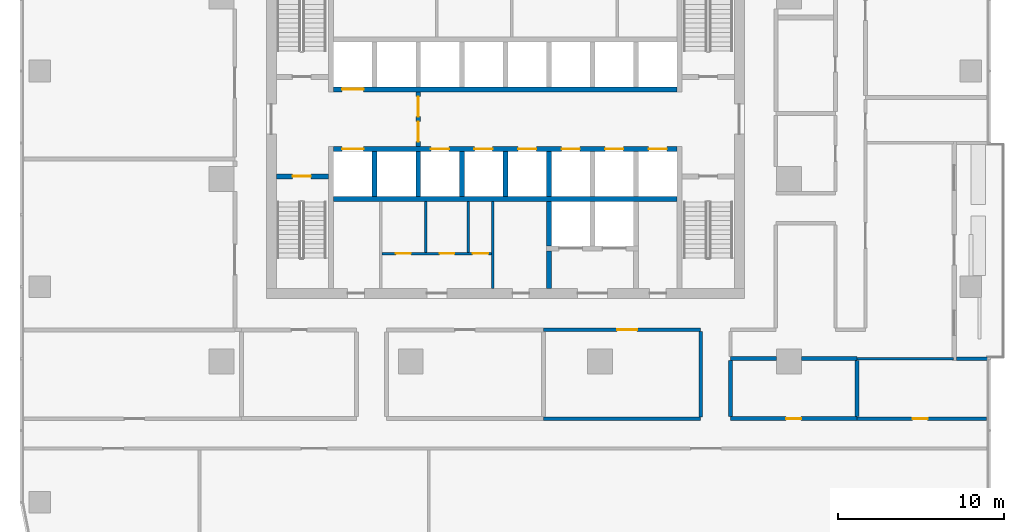
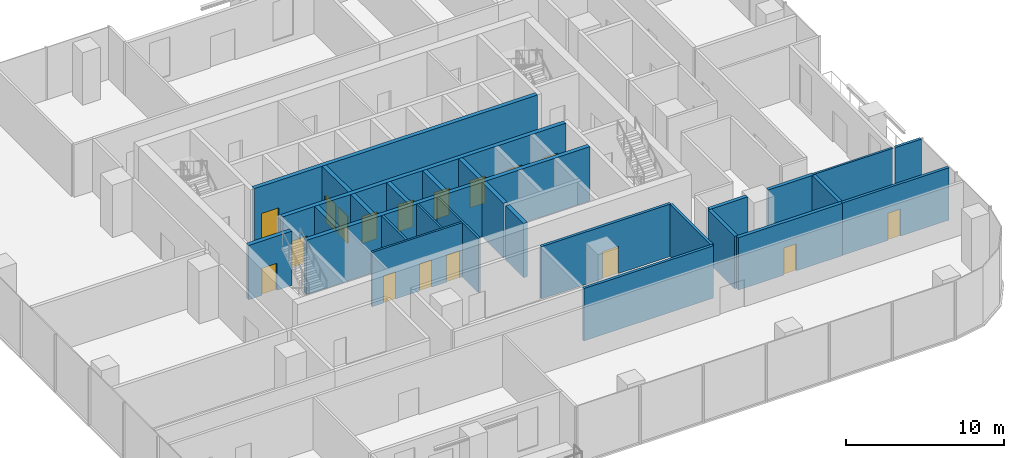
# One storey, part 8 of 14: 27 walls, 17 doors, 17 openings.
"""IFC4 building model written with IfcOpenShell, lengths in metres."""

import ifcopenshell
import ifcopenshell.guid

model = None  # the IFC model being written
_history = None  # IfcOwnerHistory: only IFC2X3 demands one
_inside = {}  # id of a spatial element -> (the spatial element, [elements in it])
_under = {}  # id of a project, library or spatial element -> (it, [spatial elements below it])
_declared = {}  # id of a project -> (the project, [libraries it declares])
_typed = {}  # id of a type object -> (the type object, [elements of that type])
_made_of = {}  # id of a material, layer set ... -> (it, [elements and type objects made of it])


def new_model(schema):
    """Start an empty IFC model of exactly this schema.

    Asked for "IFC4X3", IfcOpenShell would pick the latest addendum, in which some entities
    have other attributes; the version numbers below select the first issue.
    IFC2X3 requires an IfcOwnerHistory on every rooted entity: one is made here for all.
    """
    global model, _history
    if schema == "IFC4X3":
        model = ifcopenshell.file(schema_version=(4, 3, 0, 0))
    else:
        model = ifcopenshell.file(schema=schema)
    _inside.clear()
    _under.clear()
    _declared.clear()
    _typed.clear()
    _made_of.clear()
    _history = None
    if model.schema == "IFC2X3":
        org = make("IfcOrganization", Name="unknown")
        user = make(
            "IfcPersonAndOrganization",
            ThePerson=make("IfcPerson", FamilyName="unknown"),
            TheOrganization=org,
        )
        app = make(
            "IfcApplication",
            ApplicationDeveloper=org,
            Version="unknown",
            ApplicationFullName="unknown",
            ApplicationIdentifier="unknown",
        )
        _history = make(
            "IfcOwnerHistory",
            OwningUser=user,
            OwningApplication=app,
            ChangeAction="ADDED",
            CreationDate=0,
        )
    return model


def make(cls, **values):
    """One entity of the class cls with the attributes given. An attribute that is None is left unset."""
    return model.create_entity(
        cls, **{name: value for name, value in values.items() if value is not None}
    )


def rooted(cls, **values):
    """An entity with a GlobalId (a new one), such as an element, a storey or a relation."""
    return make(cls, GlobalId=ifcopenshell.guid.new(), OwnerHistory=_history, **values)


def si_unit(unit_type, name, prefix=None):
    """IfcSIUnit, for example si_unit("LENGTHUNIT", "METRE", prefix="MILLI")."""
    return make("IfcSIUnit", UnitType=unit_type, Prefix=prefix, Name=name)


def assignment(units):
    """IfcUnitAssignment: the units of a project."""
    return None if units is None else make("IfcUnitAssignment", Units=units)


def point(xyz):
    """IfcCartesianPoint."""
    return None if xyz is None else make("IfcCartesianPoint", Coordinates=xyz)


def direction(xyz):
    """IfcDirection."""
    return None if xyz is None else make("IfcDirection", DirectionRatios=xyz)


def frame(location, z_axis=None, x_axis=None):
    """IfcAxis2Placement3D, a coordinate frame: its origin and axes. An axis left out is left unset."""
    return make(
        "IfcAxis2Placement3D",
        Location=point(location),
        Axis=direction(z_axis),
        RefDirection=direction(x_axis),
    )


def frame_2d(location, x_axis=None):
    """IfcAxis2Placement2D, a coordinate frame in the plane: its origin and x axis."""
    return make(
        "IfcAxis2Placement2D", Location=point(location), RefDirection=direction(x_axis)
    )


def origin():
    """The frame at (0, 0, 0) with its axes left unset."""
    return frame((0.0, 0.0, 0.0))


def place(relative_to, where):
    """IfcLocalPlacement: puts the frame where relative to a parent placement (None: the world)."""
    return make(
        "IfcLocalPlacement", PlacementRelTo=relative_to, RelativePlacement=where
    )


def context(
    kind, dimensions, precision=None, world=None, true_north=None, identifier=None
):
    """IfcGeometricRepresentationContext, for example the 3D "Model" context."""
    return make(
        "IfcGeometricRepresentationContext",
        ContextIdentifier=identifier,
        ContextType=kind,
        CoordinateSpaceDimension=dimensions,
        Precision=precision,
        WorldCoordinateSystem=world,
        TrueNorth=true_north,
    )


def subcontext(parent, identifier, kind, view, scale=None):
    """IfcGeometricRepresentationSubContext, for example "Body" below "Model"."""
    return make(
        "IfcGeometricRepresentationSubContext",
        ContextIdentifier=identifier,
        ContextType=kind,
        ParentContext=parent,
        TargetScale=scale,
        TargetView=view,
    )


def project(units=None, contexts=None):
    """IfcProject with its units and contexts."""
    return rooted(
        "IfcProject",
        Name="project",
        RepresentationContexts=contexts,
        UnitsInContext=assignment(units),
    )


def spatial(cls, under=None, at=None, **own):
    """A site, building, storey or space (cls), placed at a placement, below another one or the project."""
    s = rooted(cls, ObjectPlacement=at, **own)
    if under is not None:
        _under.setdefault(under.id(), (under, []))[1].append(s)
    return s


def profile(cls, at=None, kind="AREA", **sizes):
    """A parametric profile (cls). Its sizes go by their IFC names, for example OverallWidth=200.0."""
    return make(cls, ProfileType=kind, Position=at, **sizes)


def rectangle(**sizes):
    """IfcRectangleProfileDef."""
    return profile("IfcRectangleProfileDef", **sizes)


def extrude(swept, where, along, depth):
    """IfcExtrudedAreaSolid: the profile swept, set in the frame where, extruded along a direction by depth."""
    return make(
        "IfcExtrudedAreaSolid",
        SweptArea=swept,
        Position=where,
        ExtrudedDirection=direction(along),
        Depth=depth,
    )


def shape(context_of_items, identifier, shape_type, items):
    """IfcShapeRepresentation: the items that make up one representation, for example the "Body"."""
    return make(
        "IfcShapeRepresentation",
        ContextOfItems=context_of_items,
        RepresentationIdentifier=identifier,
        RepresentationType=shape_type,
        Items=items,
    )


def material(Name=None, Category=None):
    """IfcMaterial."""
    return make("IfcMaterial", Name=Name, Category=Category)


def layer(
    of_material, thickness, ventilated=None, Name=None, Category=None, Priority=None
):
    """IfcMaterialLayer: one layer of a wall or slab, of a material (None: an air gap)."""
    return make(
        "IfcMaterialLayer",
        Material=of_material,
        LayerThickness=thickness,
        IsVentilated=ventilated,
        Name=Name,
        Category=Category,
        Priority=Priority,
    )


def layer_set(layers, Name=None):
    """IfcMaterialLayerSet."""
    return make("IfcMaterialLayerSet", MaterialLayers=layers, LayerSetName=Name)


def made_of(thing, what):
    """Note that an element or type object is made of a material, layer set ...; save() writes the relation."""
    if what is not None:
        _made_of.setdefault(what.id(), (what, []))[1].append(thing)
    return thing


def type_object(cls, material=None, **own):
    """A type object (cls), such as IfcWallType, which elements share."""
    return made_of(rooted(cls, **own), material)


def element(
    cls,
    number,
    at=None,
    inside=None,
    cuts=None,
    type_object=None,
    material=None,
    context=None,
    identifier="Body",
    shape_type=None,
    held_by="IfcProductDefinitionShape",
    body=None,
    shapes=None,
    **own,
):
    """One element of the class cls, such as IfcWall. Its Tag is "e" and its number.

    at: its placement. inside: the storey or other place that contains it. cuts: it is an
    opening in that element (IfcRelVoidsElement). A single representation is given by context,
    identifier, shape_type and body (its items); several are given by shapes. held_by: the class
    of the entity that holds the representations. save() writes the other relations.
    """
    e = rooted(cls, Tag="e%d" % number, ObjectPlacement=at, **own)
    if body is not None:
        shapes = [shape(context, identifier, shape_type, body)]
    if shapes is not None:
        e.Representation = make(held_by, Representations=shapes)
    if inside is not None:
        _inside.setdefault(inside.id(), (inside, []))[1].append(e)
    if cuts is not None:
        rooted(
            "IfcRelVoidsElement", RelatingBuildingElement=cuts, RelatedOpeningElement=e
        )
    if type_object is not None:
        _typed.setdefault(type_object.id(), (type_object, []))[1].append(e)
    return made_of(e, material)


def fill(opening, filler):
    """IfcRelFillsElement: the door or window that sits in an opening."""
    return rooted(
        "IfcRelFillsElement",
        RelatingOpeningElement=opening,
        RelatedBuildingElement=filler,
    )


def aggregate(whole, parts):
    """IfcRelAggregates: a whole, such as a stair, and the parts it consists of."""
    return rooted("IfcRelAggregates", RelatingObject=whole, RelatedObjects=parts)


def save(model, path):
    """Write the relations noted so far, then the file.

    IfcRelAggregates (storeys below a building ...), IfcRelContainedInSpatialStructure (elements
    in a storey), IfcRelDefinesByType, IfcRelAssociatesMaterial and IfcRelDeclares: one each for
    every whole, place, type object, material and project.
    """
    for whole, parts in _under.values():
        aggregate(whole, parts)
    for where, things in _inside.values():
        rooted(
            "IfcRelContainedInSpatialStructure",
            RelatedElements=things,
            RelatingStructure=where,
        )
    for kind, things in _typed.values():
        rooted("IfcRelDefinesByType", RelatedObjects=things, RelatingType=kind)
    for what, things in _made_of.values():
        rooted("IfcRelAssociatesMaterial", RelatedObjects=things, RelatingMaterial=what)
    for by, libraries in _declared.values():
        rooted("IfcRelDeclares", RelatingContext=by, RelatedDefinitions=libraries)
    model.write(path)


model = new_model("IFC4")

# Units and contexts
model_context = context("Model", 3, precision=1e-05, world=origin(), true_north=direction((0.0, 1.0)))
body_context = subcontext(model_context, "Body", "Model", "MODEL_VIEW")
ifc_project = project(units=[si_unit("LENGTHUNIT", "METRE"), si_unit("AREAUNIT", "SQUARE_METRE"), si_unit("VOLUMEUNIT", "CUBIC_METRE"), si_unit("PLANEANGLEUNIT", "RADIAN"), si_unit("MASSUNIT", "GRAM", prefix="KILO")], contexts=[model_context])

# Site, building, storey
site_placement = place(None, origin())
site = spatial("IfcSite", under=ifc_project, at=site_placement, CompositionType="ELEMENT")
building_placement = place(site_placement, origin())
building = spatial("IfcBuilding", under=site, at=building_placement, Name="Mopane Tessera Tower", CompositionType="ELEMENT")
storey_placement = place(building_placement, frame((0.0, 0.0, 126.10009765625)))
storey = spatial("IfcBuildingStorey", under=building, at=storey_placement, Name="L25", CompositionType="ELEMENT", Elevation=126.10009765625)

# Wall, openings, doors
ifc_material_1 = material(Name="Fire-rated gypsum board partition")
ifc_layer_1 = layer(ifc_material_1, 0.14990234375)
ifc_layer_set_1 = layer_set([ifc_layer_1], Name="Fire-rated gypsum board partition")
wall_type_1 = type_object("IfcWallType", Name="Core room partition 150 mm", PredefinedType="PARTITIONING", material=ifc_layer_set_1)
wall_1_placement = place(storey_placement, frame((-7.425048828125, -4.5, 0.0), z_axis=(0.0, 0.0, 1.0), x_axis=(1.0, 0.0, 0.0)))
wall_1 = element("IfcWall", 1, at=wall_1_placement, inside=storey, type_object=wall_type_1, Name="L25 WC partition", PredefinedType="PARTITIONING", context=body_context, shape_type="SweptSolid", body=[
    extrude(rectangle(XDim=6.60009765625, YDim=0.14990234375, at=frame_2d((3.300048828125, 0.0))), origin(), (0.0, 0.0, 1.0), 4.199951171875),
])
opening_1_placement = place(wall_1_placement, frame((0.824951171875, 0.0, 0.0)))
opening_1 = element("IfcOpeningElement", 2, at=opening_1_placement, cuts=wall_1, Name="Opening WD1", PredefinedType="OPENING", context=body_context, shape_type="SweptSolid", body=[
    extrude(rectangle(XDim=0.89990234375, YDim=2.10009765625, at=frame_2d((0.449951171875, 1.050048828125))), frame((0.0, 0.0869140625, 0.0), z_axis=(0.0, -1.0, 0.0), x_axis=(1.0, 0.0, 0.0)), (0.0, 0.0, 1.0), 0.173828125),
])
opening_2_placement = place(wall_1_placement, frame((3.45751953125, 0.0, 0.0)))
opening_2 = element("IfcOpeningElement", 3, at=opening_2_placement, cuts=wall_1, Name="Opening WD1", PredefinedType="OPENING", context=body_context, shape_type="SweptSolid", body=[
    extrude(rectangle(XDim=0.89990234375, YDim=2.10009765625, at=frame_2d((0.449951171875, 1.050048828125))), frame((0.0, 0.0869140625, 0.0), z_axis=(0.0, -1.0, 0.0), x_axis=(1.0, 0.0, 0.0)), (0.0, 0.0, 1.0), 0.173828125),
])
opening_3_placement = place(wall_1_placement, frame((5.45751953125, 0.0, 0.0)))
opening_3 = element("IfcOpeningElement", 4, at=opening_3_placement, cuts=wall_1, Name="Opening WD2", PredefinedType="OPENING", context=body_context, shape_type="SweptSolid", body=[
    extrude(rectangle(XDim=0.949951171875, YDim=2.10009765625, at=frame_2d((0.47509765625, 1.050048828125))), frame((0.0, 0.0869140625, 0.0), z_axis=(0.0, -1.0, 0.0), x_axis=(1.0, 0.0, 0.0)), (0.0, 0.0, 1.0), 0.173828125),
])
ifc_material_2 = material(Name="Timber door", Category="wood")
door_type_1 = type_object("IfcDoorType", Name="Accessible WC door 950 x 2100", OperationType="SINGLE_SWING_LEFT", PredefinedType="DOOR", material=ifc_material_2)
door_1_placement = place(opening_3_placement, origin())
door_1 = element("IfcDoor", 5, at=door_1_placement, inside=storey, type_object=door_type_1, Name="L25 Accessible WC door", OperationType="SINGLE_SWING_LEFT", OverallHeight=2.10009765625, OverallWidth=0.949951171875, PredefinedType="DOOR", context=body_context, shape_type="SweptSolid", body=[
    extrude(rectangle(XDim=0.949951171875, YDim=2.10009765625, at=frame_2d((0.47509765625, 1.050048828125))), frame((0.0, 0.02490234375, 0.0), z_axis=(0.0, -1.0, 0.0), x_axis=(1.0, 0.0, 0.0)), (0.0, 0.0, 1.0), 0.050048828125),
])
fill(opening_3, door_1)
ifc_material_3 = material(Name="Timber door", Category="wood")
door_type_2 = type_object("IfcDoorType", Name="WC cubicle door 900 x 2100", OperationType="SINGLE_SWING_LEFT", PredefinedType="DOOR", material=ifc_material_3)
door_2_placement = place(opening_1_placement, origin())
door_2 = element("IfcDoor", 6, at=door_2_placement, inside=storey, type_object=door_type_2, Name="L25 Men's WC door", OperationType="SINGLE_SWING_LEFT", OverallHeight=2.10009765625, OverallWidth=0.89990234375, PredefinedType="DOOR", context=body_context, shape_type="SweptSolid", body=[
    extrude(rectangle(XDim=0.89990234375, YDim=2.10009765625, at=frame_2d((0.449951171875, 1.050048828125))), frame((0.0, 0.02490234375, 0.0), z_axis=(0.0, -1.0, 0.0), x_axis=(1.0, 0.0, 0.0)), (0.0, 0.0, 1.0), 0.050048828125),
])
fill(opening_1, door_2)
door_3_placement = place(opening_2_placement, origin())
door_3 = element("IfcDoor", 7, at=door_3_placement, inside=storey, type_object=door_type_2, Name="L25 Women's WC door", OperationType="SINGLE_SWING_LEFT", OverallHeight=2.10009765625, OverallWidth=0.89990234375, PredefinedType="DOOR", context=body_context, shape_type="SweptSolid", body=[
    extrude(rectangle(XDim=0.89990234375, YDim=2.10009765625, at=frame_2d((0.449951171875, 1.050048828125))), frame((0.0, 0.02490234375, 0.0), z_axis=(0.0, -1.0, 0.0), x_axis=(1.0, 0.0, 0.0)), (0.0, 0.0, 1.0), 0.050048828125),
])
fill(opening_2, door_3)

# Walls
for number, where, z_axis, x_axis, name in (
    (8, (-4.800048828125, -4.425048828125, 0.0), (0.0, 0.0, 1.0), (0.0, 1.0, 0.0), "L25 WC partition"),
    (9, (-2.235107421875, -4.425048828125, 0.0), (0.0, 0.0, 1.0), (0.0, 1.0, 0.0), "L25 WC partition"),
):
    element("IfcWall", number, at=place(storey_placement, frame(where, z_axis=z_axis, x_axis=x_axis)), inside=storey, type_object=wall_type_1, Name=name, PredefinedType="PARTITIONING", context=body_context, shape_type="SweptSolid", body=[
        extrude(rectangle(XDim=3.074951171875, YDim=0.14990234375, at=frame_2d((1.53759765625, 0.0))), origin(), (0.0, 0.0, 1.0), 4.199951171875),
    ])
wall_2_placement = place(storey_placement, frame((-0.75, -6.60009765625, 0.0), z_axis=(0.0, 0.0, 1.0), x_axis=(0.0, 1.0, 0.0)))
element("IfcWall", 10, at=wall_2_placement, inside=storey, type_object=wall_type_1, Name="L25 Room partition", PredefinedType="PARTITIONING", context=body_context, shape_type="SweptSolid", body=[
    extrude(rectangle(XDim=5.25, YDim=0.14990234375, at=frame_2d((2.625, 0.0))), origin(), (0.0, 0.0, 1.0), 4.199951171875),
])
ifc_material_4 = material(Name="Gypsum board on steel studs, two layers each face, mineral wool infill", Category="steel")
ifc_layer_2 = layer(ifc_material_4, 0.199951171875)
ifc_layer_set_2 = layer_set([ifc_layer_2], Name="Gypsum board on steel studs, two layers each face, mineral wool infill")
wall_type_2 = type_object("IfcWallType", Name="Gypsum board corridor wall 200, rated EI 60", PredefinedType="PARTITIONING", material=ifc_layer_set_2)
wall_3_placement = place(storey_placement, frame((2.300048828125, -14.449951171875, 0.0), z_axis=(0.0, 0.0, 1.0), x_axis=(1.0, 0.0, 0.0)))
element("IfcWall", 11, at=wall_3_placement, inside=storey, type_object=wall_type_2, Name="Partition L25:002", PredefinedType="PARTITIONING", context=body_context, shape_type="SweptSolid", body=[
    extrude(rectangle(XDim=9.469970703125, YDim=0.199951171875, at=frame_2d((4.73486328125, 0.0))), origin(), (0.0, 0.0, 1.0), 4.0498046875),
])

# Wall, opening, door
wall_4_placement = place(storey_placement, frame((21.18505859375, -14.449951171875, 0.0), z_axis=(0.0, 0.0, 1.0), x_axis=(1.0, 0.0, 0.0)))
wall_4 = element("IfcWall", 12, at=wall_4_placement, inside=storey, type_object=wall_type_2, Name="Partition L25:003", PredefinedType="PARTITIONING", context=body_context, shape_type="SweptSolid", body=[
    extrude(rectangle(XDim=7.81494140625, YDim=0.199951171875, at=frame_2d((3.907470703125, 0.0))), origin(), (0.0, 0.0, 1.0), 4.0498046875),
])
opening_4_placement = place(wall_4_placement, frame((3.357421875, 0.0, 0.0)))
opening_4 = element("IfcOpeningElement", 13, at=opening_4_placement, cuts=wall_4, Name="Opening L25-09", PredefinedType="OPENING", context=body_context, shape_type="SweptSolid", body=[
    extrude(rectangle(XDim=0.89990234375, YDim=2.10009765625, at=frame_2d((0.449951171875, 1.050048828125))), frame((0.0, 0.112060546875, 0.0), z_axis=(0.0, -1.0, 0.0), x_axis=(1.0, 0.0, 0.0)), (0.0, 0.0, 1.0), 0.223876953125),
])
ifc_material_5 = material(Name="Timber veneered steel-framed fire door", Category="steel")
door_type_3 = type_object("IfcDoorType", Name="Fire door FD60 900 x 2100", OperationType="SINGLE_SWING_LEFT", PredefinedType="DOOR", material=ifc_material_5)
door_4_placement = place(opening_4_placement, origin())
door_4 = element("IfcDoor", 14, at=door_4_placement, inside=storey, type_object=door_type_3, Name="Door L25-09", ObjectType="D10A", OperationType="SINGLE_SWING_RIGHT", OverallHeight=2.10009765625, OverallWidth=0.89990234375, PredefinedType="DOOR", context=body_context, shape_type="SweptSolid", body=[
    extrude(rectangle(XDim=0.89990234375, YDim=2.10009765625, at=frame_2d((0.449951171875, 1.050048828125))), frame((0.0, 0.02490234375, 0.0), z_axis=(0.0, -1.0, 0.0), x_axis=(1.0, 0.0, 0.0)), (0.0, 0.0, 1.0), 0.050048828125),
])
fill(opening_4, door_4)

wall_5_placement = place(storey_placement, frame((2.300048828125, -9.10009765625, 0.0), z_axis=(0.0, 0.0, 1.0), x_axis=(1.0, 0.0, 0.0)))
wall_5 = element("IfcWall", 15, at=wall_5_placement, inside=storey, type_object=wall_type_2, Name="Partition L25:011", PredefinedType="PARTITIONING", context=body_context, shape_type="SweptSolid", body=[
    extrude(rectangle(XDim=9.469970703125, YDim=0.199951171875, at=frame_2d((4.73486328125, 0.0))), origin(), (0.0, 0.0, 1.0), 4.0498046875),
])
opening_5_placement = place(wall_5_placement, frame((4.43505859375, 0.0, 0.0)))
opening_5 = element("IfcOpeningElement", 16, at=opening_5_placement, cuts=wall_5, Name="Opening L25-20", PredefinedType="OPENING", context=body_context, shape_type="SweptSolid", body=[
    extrude(rectangle(XDim=1.199951171875, YDim=2.10009765625, at=frame_2d((0.60009765625, 1.050048828125))), frame((0.0, 0.112060546875, 0.0), z_axis=(0.0, -1.0, 0.0), x_axis=(1.0, 0.0, 0.0)), (0.0, 0.0, 1.0), 0.223876953125),
])
ifc_material_6 = material(Name="Timber veneered steel-framed fire door", Category="steel")
door_type_4 = type_object("IfcDoorType", Name="Fire door FD60 1200 x 2100", OperationType="SINGLE_SWING_LEFT", PredefinedType="DOOR", material=ifc_material_6)
door_5_placement = place(opening_5_placement, origin())
door_5 = element("IfcDoor", 17, at=door_5_placement, inside=storey, type_object=door_type_4, Name="Door L25-20", ObjectType="D15A", OperationType="SINGLE_SWING_RIGHT", OverallHeight=2.10009765625, OverallWidth=1.199951171875, PredefinedType="DOOR", context=body_context, shape_type="SweptSolid", body=[
    extrude(rectangle(XDim=1.199951171875, YDim=2.10009765625, at=frame_2d((0.60009765625, 1.050048828125))), frame((0.0, 0.02490234375, 0.0), z_axis=(0.0, -1.0, 0.0), x_axis=(1.0, 0.0, 0.0)), (0.0, 0.0, 1.0), 0.050048828125),
])
fill(opening_5, door_5)

# Walls
wall_6_placement = place(storey_placement, frame((11.77001953125, -14.35009765625, 0.0), z_axis=(0.0, 0.0, 1.0), x_axis=(0.0, 1.0, 0.0)))
element("IfcWall", 18, at=wall_6_placement, inside=storey, type_object=wall_type_2, Name="Partition L25:046", PredefinedType="PARTITIONING", context=body_context, shape_type="SweptSolid", body=[
    extrude(rectangle(XDim=5.150146484375, YDim=0.199951171875, at=frame_2d((2.5751953125, 0.0))), origin(), (0.0, 0.0, 1.0), 4.0498046875),
])
ifc_material_7 = material(Name="Gypsum board on steel studs, mineral wool infill", Category="steel")
ifc_layer_3 = layer(ifc_material_7, 0.14990234375)
ifc_layer_set_3 = layer_set([ifc_layer_3], Name="Gypsum board on steel studs, mineral wool infill")
wall_type_3 = type_object("IfcWallType", Name="Gypsum board partition 150, rated EI 60", PredefinedType="PARTITIONING", material=ifc_layer_set_3)
wall_7_placement = place(storey_placement, frame((21.18505859375, -10.8349609375, 0.0), z_axis=(0.0, 0.0, 1.0), x_axis=(1.0, 0.0, 0.0)))
element("IfcWall", 19, at=wall_7_placement, inside=storey, type_object=wall_type_3, Name="Partition L25:007", PredefinedType="PARTITIONING", context=body_context, shape_type="SweptSolid", body=[
    extrude(rectangle(XDim=5.81494140625, YDim=0.14990234375, at=frame_2d((2.907470703125, 0.0))), origin(), (0.0, 0.0, 1.0), 4.0498046875),
])

# Wall, opening, door
ifc_material_8 = material(Name="Concrete C50/60", Category="concrete")
ifc_layer_4 = layer(ifc_material_8, 0.300048828125)
ifc_layer_set_4 = layer_set([ifc_layer_4], Name="Concrete C50/60")
wall_type_4 = type_object("IfcWallType", Name="Lift and stair shaft wall 300 mm", PredefinedType="SOLIDWALL", material=ifc_layer_set_4)
wall_8_placement = place(storey_placement, frame((-13.800048828125, 0.14990234375, 0.0), z_axis=(0.0, 0.0, 1.0), x_axis=(1.0, 0.0, 0.0)))
wall_8 = element("IfcWall", 20, at=wall_8_placement, inside=storey, type_object=wall_type_4, Name="L25 Stair enclosure wall", PredefinedType="SOLIDWALL", context=body_context, shape_type="SweptSolid", body=[
    extrude(rectangle(XDim=3.150146484375, YDim=0.300048828125, at=frame_2d((1.5751953125, 0.0))), origin(), (0.0, 0.0, 1.0), 4.199951171875),
])
opening_6_placement = place(wall_8_placement, frame((0.97509765625, 0.0, 0.0)))
opening_6 = element("IfcOpeningElement", 21, at=opening_6_placement, cuts=wall_8, Name="Opening SD1", PredefinedType="OPENING", context=body_context, shape_type="SweptSolid", body=[
    extrude(rectangle(XDim=1.10009765625, YDim=2.10009765625, at=frame_2d((0.550048828125, 1.050048828125))), frame((0.0, 0.162109375, 0.0), z_axis=(0.0, -1.0, 0.0), x_axis=(1.0, 0.0, 0.0)), (0.0, 0.0, 1.0), 0.323974609375),
])
ifc_material_9 = material(Name="Steel fire door", Category="steel")
door_type_5 = type_object("IfcDoorType", Name="Stair fire door 1100 x 2100", OperationType="SINGLE_SWING_LEFT", PredefinedType="DOOR", material=ifc_material_9)
door_6_placement = place(opening_6_placement, origin())
door_6 = element("IfcDoor", 22, at=door_6_placement, inside=storey, type_object=door_type_5, Name="L25 Stair door ST1", OperationType="SINGLE_SWING_LEFT", OverallHeight=2.10009765625, OverallWidth=1.10009765625, PredefinedType="DOOR", context=body_context, shape_type="SweptSolid", body=[
    extrude(rectangle(XDim=1.10009765625, YDim=2.10009765625, at=frame_2d((0.550048828125, 1.050048828125))), frame((0.0, 0.02490234375, 0.0), z_axis=(0.0, -1.0, 0.0), x_axis=(1.0, 0.0, 0.0)), (0.0, 0.0, 1.0), 0.050048828125),
])
fill(opening_6, door_6)

# Wall
wall_9_placement = place(storey_placement, frame((-10.35009765625, -1.199951171875, 0.0), z_axis=(0.0, 0.0, 1.0), x_axis=(1.0, 0.0, 0.0)))
element("IfcWall", 23, at=wall_9_placement, inside=storey, type_object=wall_type_4, Name="L25 Lift shaft rear wall", PredefinedType="SOLIDWALL", context=body_context, shape_type="SweptSolid", body=[
    extrude(rectangle(XDim=20.7001953125, YDim=0.300048828125, at=frame_2d((10.35009765625, 0.0))), origin(), (0.0, 0.0, 1.0), 4.199951171875),
])

# Wall, openings, doors
wall_10_placement = place(storey_placement, frame((-10.35009765625, 1.800048828125, 0.0), z_axis=(0.0, 0.0, 1.0), x_axis=(1.0, 0.0, 0.0)))
wall_10 = element("IfcWall", 24, at=wall_10_placement, inside=storey, type_object=wall_type_4, Name="L25 Lift shaft front wall", PredefinedType="SOLIDWALL", context=body_context, shape_type="SweptSolid", body=[
    extrude(rectangle(XDim=20.7001953125, YDim=0.300048828125, at=frame_2d((10.35009765625, 0.0))), origin(), (0.0, 0.0, 1.0), 4.199951171875),
])
opening_7_placement = place(wall_10_placement, frame((0.512451171875, 0.0, 0.0)))
opening_7 = element("IfcOpeningElement", 25, at=opening_7_placement, cuts=wall_10, Name="Opening LD2", PredefinedType="OPENING", context=body_context, shape_type="SweptSolid", body=[
    extrude(rectangle(XDim=1.300048828125, YDim=2.10009765625, at=frame_2d((0.64990234375, 1.050048828125))), frame((0.0, 0.162109375, 0.0), z_axis=(0.0, -1.0, 0.0), x_axis=(1.0, 0.0, 0.0)), (0.0, 0.0, 1.0), 0.323974609375),
])
opening_8_placement = place(wall_10_placement, frame((5.862548828125, 0.0, 0.0)))
opening_8 = element("IfcOpeningElement", 26, at=opening_8_placement, cuts=wall_10, Name="Opening LD", PredefinedType="OPENING", context=body_context, shape_type="SweptSolid", body=[
    extrude(rectangle(XDim=1.10009765625, YDim=2.10009765625, at=frame_2d((0.550048828125, 1.050048828125))), frame((0.0, 0.162109375, 0.0), z_axis=(0.0, -1.0, 0.0), x_axis=(1.0, 0.0, 0.0)), (0.0, 0.0, 1.0), 0.323974609375),
])
opening_9_placement = place(wall_10_placement, frame((8.487548828125, 0.0, 0.0)))
opening_9 = element("IfcOpeningElement", 27, at=opening_9_placement, cuts=wall_10, Name="Opening LD", PredefinedType="OPENING", context=body_context, shape_type="SweptSolid", body=[
    extrude(rectangle(XDim=1.10009765625, YDim=2.10009765625, at=frame_2d((0.550048828125, 1.050048828125))), frame((0.0, 0.162109375, 0.0), z_axis=(0.0, -1.0, 0.0), x_axis=(1.0, 0.0, 0.0)), (0.0, 0.0, 1.0), 0.323974609375),
])
opening_10_placement = place(wall_10_placement, frame((11.112548828125, 0.0, 0.0)))
opening_10 = element("IfcOpeningElement", 28, at=opening_10_placement, cuts=wall_10, Name="Opening LD", PredefinedType="OPENING", context=body_context, shape_type="SweptSolid", body=[
    extrude(rectangle(XDim=1.10009765625, YDim=2.10009765625, at=frame_2d((0.550048828125, 1.050048828125))), frame((0.0, 0.162109375, 0.0), z_axis=(0.0, -1.0, 0.0), x_axis=(1.0, 0.0, 0.0)), (0.0, 0.0, 1.0), 0.323974609375),
])
opening_11_placement = place(wall_10_placement, frame((13.737548828125, 0.0, 0.0)))
opening_11 = element("IfcOpeningElement", 29, at=opening_11_placement, cuts=wall_10, Name="Opening LD", PredefinedType="OPENING", context=body_context, shape_type="SweptSolid", body=[
    extrude(rectangle(XDim=1.10009765625, YDim=2.10009765625, at=frame_2d((0.550048828125, 1.050048828125))), frame((0.0, 0.162109375, 0.0), z_axis=(0.0, -1.0, 0.0), x_axis=(1.0, 0.0, 0.0)), (0.0, 0.0, 1.0), 0.323974609375),
])
opening_12_placement = place(wall_10_placement, frame((16.362548828125, 0.0, 0.0)))
opening_12 = element("IfcOpeningElement", 30, at=opening_12_placement, cuts=wall_10, Name="Opening LD", PredefinedType="OPENING", context=body_context, shape_type="SweptSolid", body=[
    extrude(rectangle(XDim=1.10009765625, YDim=2.10009765625, at=frame_2d((0.550048828125, 1.050048828125))), frame((0.0, 0.162109375, 0.0), z_axis=(0.0, -1.0, 0.0), x_axis=(1.0, 0.0, 0.0)), (0.0, 0.0, 1.0), 0.323974609375),
])
opening_13_placement = place(wall_10_placement, frame((18.987548828125, 0.0, 0.0)))
opening_13 = element("IfcOpeningElement", 31, at=opening_13_placement, cuts=wall_10, Name="Opening LD", PredefinedType="OPENING", context=body_context, shape_type="SweptSolid", body=[
    extrude(rectangle(XDim=1.10009765625, YDim=2.10009765625, at=frame_2d((0.550048828125, 1.050048828125))), frame((0.0, 0.162109375, 0.0), z_axis=(0.0, -1.0, 0.0), x_axis=(1.0, 0.0, 0.0)), (0.0, 0.0, 1.0), 0.323974609375),
])
ifc_material_10 = material(Name="Stainless steel sliding door", Category="steel")
door_type_6 = type_object("IfcDoorType", Name="Fire-fighting lift landing door 1300 x 2100", OperationType="DOUBLE_DOOR_SLIDING", PredefinedType="DOOR", material=ifc_material_10)
door_7_placement = place(opening_7_placement, origin())
door_7 = element("IfcDoor", 32, at=door_7_placement, inside=storey, type_object=door_type_6, Name="L25 Lift landing door FF1", OperationType="DOUBLE_DOOR_SLIDING", OverallHeight=2.10009765625, OverallWidth=1.300048828125, PredefinedType="DOOR", context=body_context, shape_type="SweptSolid", body=[
    extrude(rectangle(XDim=1.300048828125, YDim=2.10009765625, at=frame_2d((0.64990234375, 1.050048828125))), frame((0.0, 0.02490234375, 0.0), z_axis=(0.0, -1.0, 0.0), x_axis=(1.0, 0.0, 0.0)), (0.0, 0.0, 1.0), 0.050048828125),
])
fill(opening_7, door_7)
ifc_material_11 = material(Name="Stainless steel sliding door", Category="steel")
door_type_7 = type_object("IfcDoorType", Name="Lift landing door 1100 x 2100", OperationType="DOUBLE_DOOR_SLIDING", PredefinedType="DOOR", material=ifc_material_11)
door_8_placement = place(opening_8_placement, origin())
door_8 = element("IfcDoor", 33, at=door_8_placement, inside=storey, type_object=door_type_7, Name="L25 Lift landing door LR1", OperationType="DOUBLE_DOOR_SLIDING", OverallHeight=2.10009765625, OverallWidth=1.10009765625, PredefinedType="DOOR", context=body_context, shape_type="SweptSolid", body=[
    extrude(rectangle(XDim=1.10009765625, YDim=2.10009765625, at=frame_2d((0.550048828125, 1.050048828125))), frame((0.0, 0.02490234375, 0.0), z_axis=(0.0, -1.0, 0.0), x_axis=(1.0, 0.0, 0.0)), (0.0, 0.0, 1.0), 0.050048828125),
])
fill(opening_8, door_8)
door_9_placement = place(opening_9_placement, origin())
door_9 = element("IfcDoor", 34, at=door_9_placement, inside=storey, type_object=door_type_7, Name="L25 Lift landing door LR2", OperationType="DOUBLE_DOOR_SLIDING", OverallHeight=2.10009765625, OverallWidth=1.10009765625, PredefinedType="DOOR", context=body_context, shape_type="SweptSolid", body=[
    extrude(rectangle(XDim=1.10009765625, YDim=2.10009765625, at=frame_2d((0.550048828125, 1.050048828125))), frame((0.0, 0.02490234375, 0.0), z_axis=(0.0, -1.0, 0.0), x_axis=(1.0, 0.0, 0.0)), (0.0, 0.0, 1.0), 0.050048828125),
])
fill(opening_9, door_9)
door_10_placement = place(opening_10_placement, origin())
door_10 = element("IfcDoor", 35, at=door_10_placement, inside=storey, type_object=door_type_7, Name="L25 Lift landing door LR3", OperationType="DOUBLE_DOOR_SLIDING", OverallHeight=2.10009765625, OverallWidth=1.10009765625, PredefinedType="DOOR", context=body_context, shape_type="SweptSolid", body=[
    extrude(rectangle(XDim=1.10009765625, YDim=2.10009765625, at=frame_2d((0.550048828125, 1.050048828125))), frame((0.0, 0.02490234375, 0.0), z_axis=(0.0, -1.0, 0.0), x_axis=(1.0, 0.0, 0.0)), (0.0, 0.0, 1.0), 0.050048828125),
])
fill(opening_10, door_10)
door_11_placement = place(opening_11_placement, origin())
door_11 = element("IfcDoor", 36, at=door_11_placement, inside=storey, type_object=door_type_7, Name="L25 Lift landing door LR4", OperationType="DOUBLE_DOOR_SLIDING", OverallHeight=2.10009765625, OverallWidth=1.10009765625, PredefinedType="DOOR", context=body_context, shape_type="SweptSolid", body=[
    extrude(rectangle(XDim=1.10009765625, YDim=2.10009765625, at=frame_2d((0.550048828125, 1.050048828125))), frame((0.0, 0.02490234375, 0.0), z_axis=(0.0, -1.0, 0.0), x_axis=(1.0, 0.0, 0.0)), (0.0, 0.0, 1.0), 0.050048828125),
])
fill(opening_11, door_11)
door_12_placement = place(opening_12_placement, origin())
door_12 = element("IfcDoor", 37, at=door_12_placement, inside=storey, type_object=door_type_7, Name="L25 Lift landing door LR5", OperationType="DOUBLE_DOOR_SLIDING", OverallHeight=2.10009765625, OverallWidth=1.10009765625, PredefinedType="DOOR", context=body_context, shape_type="SweptSolid", body=[
    extrude(rectangle(XDim=1.10009765625, YDim=2.10009765625, at=frame_2d((0.550048828125, 1.050048828125))), frame((0.0, 0.02490234375, 0.0), z_axis=(0.0, -1.0, 0.0), x_axis=(1.0, 0.0, 0.0)), (0.0, 0.0, 1.0), 0.050048828125),
])
fill(opening_12, door_12)
door_13_placement = place(opening_13_placement, origin())
door_13 = element("IfcDoor", 38, at=door_13_placement, inside=storey, type_object=door_type_7, Name="L25 Lift landing door LR6", OperationType="DOUBLE_DOOR_SLIDING", OverallHeight=2.10009765625, OverallWidth=1.10009765625, PredefinedType="DOOR", context=body_context, shape_type="SweptSolid", body=[
    extrude(rectangle(XDim=1.10009765625, YDim=2.10009765625, at=frame_2d((0.550048828125, 1.050048828125))), frame((0.0, 0.02490234375, 0.0), z_axis=(0.0, -1.0, 0.0), x_axis=(1.0, 0.0, 0.0)), (0.0, 0.0, 1.0), 0.050048828125),
])
fill(opening_13, door_13)

# Wall, opening, door
wall_11_placement = place(storey_placement, frame((-10.35009765625, 5.39990234375, 0.0), z_axis=(0.0, 0.0, 1.0), x_axis=(1.0, 0.0, 0.0)))
wall_11 = element("IfcWall", 39, at=wall_11_placement, inside=storey, type_object=wall_type_4, Name="L25 Lift shaft front wall", PredefinedType="SOLIDWALL", context=body_context, shape_type="SweptSolid", body=[
    extrude(rectangle(XDim=20.7001953125, YDim=0.300048828125, at=frame_2d((10.35009765625, 0.0))), origin(), (0.0, 0.0, 1.0), 4.199951171875),
])
opening_14_placement = place(wall_11_placement, frame((0.512451171875, 0.0, 0.0)))
opening_14 = element("IfcOpeningElement", 40, at=opening_14_placement, cuts=wall_11, Name="Opening LD2", PredefinedType="OPENING", context=body_context, shape_type="SweptSolid", body=[
    extrude(rectangle(XDim=1.300048828125, YDim=2.10009765625, at=frame_2d((0.64990234375, 1.050048828125))), frame((0.0, 0.162109375, 0.0), z_axis=(0.0, -1.0, 0.0), x_axis=(1.0, 0.0, 0.0)), (0.0, 0.0, 1.0), 0.323974609375),
])
door_14_placement = place(opening_14_placement, origin())
door_14 = element("IfcDoor", 41, at=door_14_placement, inside=storey, type_object=door_type_6, Name="L25 Lift landing door FF2", OperationType="DOUBLE_DOOR_SLIDING", OverallHeight=2.10009765625, OverallWidth=1.300048828125, PredefinedType="DOOR", context=body_context, shape_type="SweptSolid", body=[
    extrude(rectangle(XDim=1.300048828125, YDim=2.10009765625, at=frame_2d((0.64990234375, 1.050048828125))), frame((0.0, 0.02490234375, 0.0), z_axis=(0.0, -1.0, 0.0), x_axis=(1.0, 0.0, 0.0)), (0.0, 0.0, 1.0), 0.050048828125),
])
fill(opening_14, door_14)

# Walls
for number, where, z_axis, x_axis, name in (
    (42, (-7.875, -1.050048828125, 0.0), (0.0, 0.0, 1.0), (0.0, 1.0, 0.0), "L25 Lift shaft wall"),
    (43, (-5.25, -1.050048828125, 0.0), (0.0, 0.0, 1.0), (0.0, 1.0, 0.0), "L25 Lift shaft wall"),
    (44, (-2.625, -1.050048828125, 0.0), (0.0, 0.0, 1.0), (0.0, 1.0, 0.0), "L25 Lift shaft wall"),
    (45, (0.0, -1.050048828125, 0.0), (0.0, 0.0, 1.0), (0.0, 1.0, 0.0), "L25 Lift shaft wall"),
    (46, (2.625, -1.050048828125, 0.0), (0.0, 0.0, 1.0), (0.0, 1.0, 0.0), "L25 Lift shaft wall"),
    (47, (2.625, -4.050048828125, 0.0), (0.0, 0.0, 1.0), (0.0, 1.0, 0.0), "L25 Lift shaft wall"),
):
    element("IfcWall", number, at=place(storey_placement, frame(where, z_axis=z_axis, x_axis=x_axis)), inside=storey, type_object=wall_type_4, Name=name, PredefinedType="SOLIDWALL", context=body_context, shape_type="SweptSolid", body=[
        extrude(rectangle(XDim=2.699951171875, YDim=0.300048828125, at=frame_2d((1.35009765625, 0.0))), origin(), (0.0, 0.0, 1.0), 4.199951171875),
    ])

# Wall, openings, doors
ifc_material_12 = material(Name="Concrete C50/60", Category="concrete")
ifc_layer_5 = layer(ifc_material_12, 0.300048828125)
ifc_layer_set_5 = layer_set([ifc_layer_5], Name="Concrete C50/60")
wall_type_5 = type_object("IfcWallType", Name="Lobby and refuge room wall 300 mm", PredefinedType="SOLIDWALL", material=ifc_layer_set_5)
wall_12_placement = place(storey_placement, frame((-5.25, 1.949951171875, 0.0), z_axis=(0.0, 0.0, 1.0), x_axis=(0.0, 1.0, 0.0)))
wall_12 = element("IfcWall", 48, at=wall_12_placement, inside=storey, type_object=wall_type_5, Name="L25 Fire-fighting lobby wall", PredefinedType="SOLIDWALL", context=body_context, shape_type="SweptSolid", body=[
    extrude(rectangle(XDim=3.300048828125, YDim=0.300048828125, at=frame_2d((1.64990234375, 0.0))), origin(), (0.0, 0.0, 1.0), 4.199951171875),
])
opening_15_placement = place(wall_12_placement, frame((0.300048828125, 0.0, 0.0)))
opening_15 = element("IfcOpeningElement", 49, at=opening_15_placement, cuts=wall_12, Name="Opening SD3", PredefinedType="OPENING", context=body_context, shape_type="SweptSolid", body=[
    extrude(rectangle(XDim=1.199951171875, YDim=2.10009765625, at=frame_2d((0.60009765625, 1.050048828125))), frame((0.0, 0.162109375, 0.0), z_axis=(0.0, -1.0, 0.0), x_axis=(1.0, 0.0, 0.0)), (0.0, 0.0, 1.0), 0.323974609375),
])
opening_16_placement = place(wall_12_placement, frame((1.800048828125, 0.0, 0.0)))
opening_16 = element("IfcOpeningElement", 50, at=opening_16_placement, cuts=wall_12, Name="Opening SD3", PredefinedType="OPENING", context=body_context, shape_type="SweptSolid", body=[
    extrude(rectangle(XDim=1.199951171875, YDim=2.10009765625, at=frame_2d((0.60009765625, 1.050048828125))), frame((0.0, 0.162109375, 0.0), z_axis=(0.0, -1.0, 0.0), x_axis=(1.0, 0.0, 0.0)), (0.0, 0.0, 1.0), 0.323974609375),
])
ifc_material_13 = material(Name="Steel fire door", Category="steel")
door_type_8 = type_object("IfcDoorType", Name="Lobby fire door 1200 x 2100", OperationType="SINGLE_SWING_LEFT", PredefinedType="DOOR", material=ifc_material_13)
door_15_placement = place(opening_15_placement, origin())
door_15 = element("IfcDoor", 51, at=door_15_placement, inside=storey, type_object=door_type_8, Name="L25 Fire-fighting lobby door", OperationType="SINGLE_SWING_LEFT", OverallHeight=2.10009765625, OverallWidth=1.199951171875, PredefinedType="DOOR", context=body_context, shape_type="SweptSolid", body=[
    extrude(rectangle(XDim=1.199951171875, YDim=2.10009765625, at=frame_2d((0.60009765625, 1.050048828125))), frame((0.0, 0.02490234375, 0.0), z_axis=(0.0, -1.0, 0.0), x_axis=(1.0, 0.0, 0.0)), (0.0, 0.0, 1.0), 0.050048828125),
])
fill(opening_15, door_15)
door_16_placement = place(opening_16_placement, origin())
door_16 = element("IfcDoor", 52, at=door_16_placement, inside=storey, type_object=door_type_8, Name="L25 Fire-fighting lobby door", OperationType="SINGLE_SWING_RIGHT", OverallHeight=2.10009765625, OverallWidth=1.199951171875, PredefinedType="DOOR", context=body_context, shape_type="SweptSolid", body=[
    extrude(rectangle(XDim=1.199951171875, YDim=2.10009765625, at=frame_2d((0.60009765625, 1.050048828125))), frame((0.0, 0.02490234375, 0.0), z_axis=(0.0, -1.0, 0.0), x_axis=(1.0, 0.0, 0.0)), (0.0, 0.0, 1.0), 0.050048828125),
])
fill(opening_16, door_16)

# Wall
wall_13_placement = place(storey_placement, frame((2.625, -6.60009765625, 0.0), z_axis=(0.0, 0.0, 1.0), x_axis=(0.0, 1.0, 0.0)))
element("IfcWall", 53, at=wall_13_placement, inside=storey, type_object=wall_type_5, Name="L25 Service lobby wall", PredefinedType="SOLIDWALL", context=body_context, shape_type="SweptSolid", body=[
    extrude(rectangle(XDim=2.25, YDim=0.300048828125, at=frame_2d((1.125, 0.0))), origin(), (0.0, 0.0, 1.0), 4.199951171875),
])

# Wall, opening, door
ifc_material_14 = material(Name="Plastered concrete blockwork C20/25", Category="masonry")
ifc_layer_6 = layer(ifc_material_14, 0.25)
ifc_layer_set_6 = layer_set([ifc_layer_6], Name="Plastered concrete blockwork C20/25")
wall_type_6 = type_object("IfcWallType", Name="Plastered blockwork wall 250, rated EI 120", PredefinedType="PARTITIONING", material=ifc_layer_set_6)
wall_14_placement = place(storey_placement, frame((13.570068359375, -14.449951171875, 0.0), z_axis=(0.0, 0.0, 1.0), x_axis=(1.0, 0.0, 0.0)))
wall_14 = element("IfcWall", 54, at=wall_14_placement, inside=storey, type_object=wall_type_6, Name="Partition L25:006", PredefinedType="PARTITIONING", context=body_context, shape_type="SweptSolid", body=[
    extrude(rectangle(XDim=7.614990234375, YDim=0.25, at=frame_2d((3.8076171875, 0.0))), origin(), (0.0, 0.0, 1.0), 4.0498046875),
])
opening_17_placement = place(wall_14_placement, frame((3.357421875, 0.0, 0.0)))
opening_17 = element("IfcOpeningElement", 55, at=opening_17_placement, cuts=wall_14, Name="Opening L25-17", PredefinedType="OPENING", context=body_context, shape_type="SweptSolid", body=[
    extrude(rectangle(XDim=0.89990234375, YDim=2.10009765625, at=frame_2d((0.449951171875, 1.050048828125))), frame((0.0, 0.136962890625, 0.0), z_axis=(0.0, -1.0, 0.0), x_axis=(1.0, 0.0, 0.0)), (0.0, 0.0, 1.0), 0.27392578125),
])
ifc_material_15 = material(Name="Timber veneered steel-framed fire door", Category="steel")
door_type_9 = type_object("IfcDoorType", Name="Fire door FD120 900 x 2100", OperationType="SINGLE_SWING_LEFT", PredefinedType="DOOR", material=ifc_material_15)
door_17_placement = place(opening_17_placement, origin())
door_17 = element("IfcDoor", 56, at=door_17_placement, inside=storey, type_object=door_type_9, Name="Door L25-17", ObjectType="D10B", OperationType="SINGLE_SWING_LEFT", OverallHeight=2.10009765625, OverallWidth=0.89990234375, PredefinedType="DOOR", context=body_context, shape_type="SweptSolid", body=[
    extrude(rectangle(XDim=0.89990234375, YDim=2.10009765625, at=frame_2d((0.449951171875, 1.050048828125))), frame((0.0, 0.02490234375, 0.0), z_axis=(0.0, -1.0, 0.0), x_axis=(1.0, 0.0, 0.0)), (0.0, 0.0, 1.0), 0.050048828125),
])
fill(opening_17, door_17)

# Walls
wall_15_placement = place(storey_placement, frame((13.570068359375, -10.8349609375, 0.0), z_axis=(0.0, 0.0, 1.0), x_axis=(1.0, 0.0, 0.0)))
element("IfcWall", 57, at=wall_15_placement, inside=storey, type_object=wall_type_6, Name="Partition L25:008", PredefinedType="PARTITIONING", context=body_context, shape_type="SweptSolid", body=[
    extrude(rectangle(XDim=2.780029296875, YDim=0.25, at=frame_2d((1.39013671875, 0.0))), origin(), (0.0, 0.0, 1.0), 4.0498046875),
])
wall_16_placement = place(storey_placement, frame((17.85009765625, -10.8349609375, 0.0), z_axis=(0.0, 0.0, 1.0), x_axis=(1.0, 0.0, 0.0)))
element("IfcWall", 58, at=wall_16_placement, inside=storey, type_object=wall_type_6, Name="Partition L25:009", PredefinedType="PARTITIONING", context=body_context, shape_type="SweptSolid", body=[
    extrude(rectangle(XDim=3.3349609375, YDim=0.25, at=frame_2d((1.66748046875, 0.0))), origin(), (0.0, 0.0, 1.0), 4.0498046875),
])
for number, where, z_axis, x_axis, name in (
    (59, (13.570068359375, -14.324951171875, 0.0), (0.0, 0.0, 1.0), (0.0, 1.0, 0.0), "Partition L25:049"),
    (60, (21.18505859375, -14.324951171875, 0.0), (0.0, 0.0, 1.0), (0.0, 1.0, 0.0), "Partition L25:057"),
):
    element("IfcWall", number, at=place(storey_placement, frame(where, z_axis=z_axis, x_axis=x_axis)), inside=storey, type_object=wall_type_6, Name=name, PredefinedType="PARTITIONING", context=body_context, shape_type="SweptSolid", body=[
        extrude(rectangle(XDim=3.364990234375, YDim=0.25, at=frame_2d((1.6826171875, 0.0))), origin(), (0.0, 0.0, 1.0), 4.0498046875),
    ])
ifc_material_16 = material(Name="Blockwork with glazed tile facing", Category="masonry")
ifc_layer_7 = layer(ifc_material_16, 0.199951171875)
ifc_layer_set_7 = layer_set([ifc_layer_7], Name="Blockwork with glazed tile facing")
wall_type_7 = type_object("IfcWallType", Name="Terrace cheek wall 200", PredefinedType="STANDARD", material=ifc_layer_set_7)
wall_17_placement = place(storey_placement, frame((29.050048828125, -10.833251953125, 0.0), z_axis=(0.0, 0.0, 1.0), x_axis=(-1.0, 0.0, 0.0)))
element("IfcWall", 61, at=wall_17_placement, inside=storey, type_object=wall_type_7, Name="e:nw:L25:N3:cheeka", PredefinedType="STANDARD", context=body_context, shape_type="SweptSolid", body=[
    extrude(rectangle(XDim=1.875, YDim=0.199951171875, at=frame_2d((0.9375, 0.0))), origin(), (0.0, 0.0, 1.0), 4.0498046875),
])

save(model, "model.ifc")
